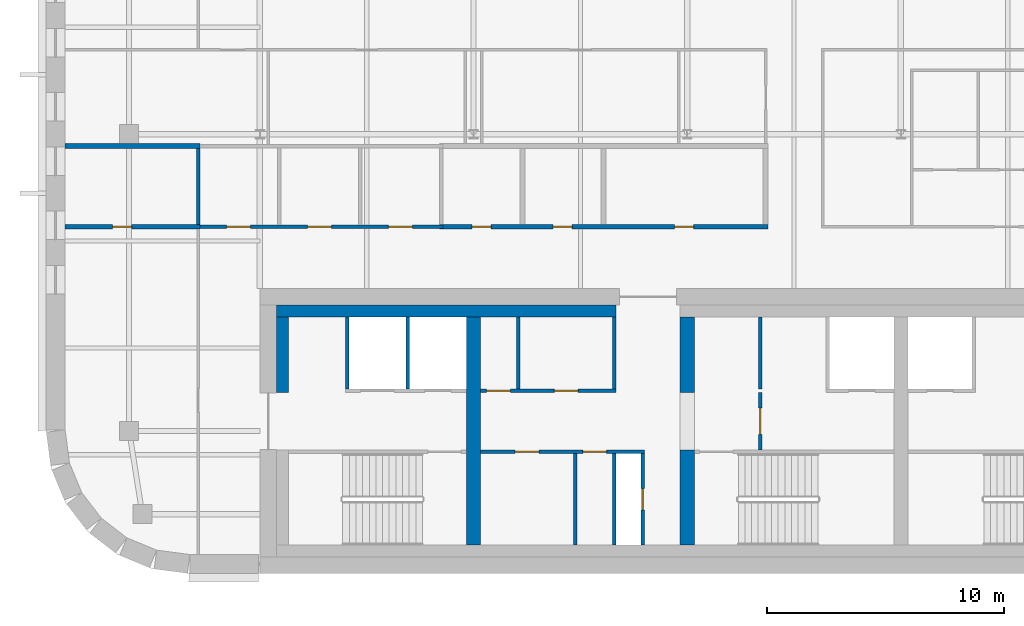
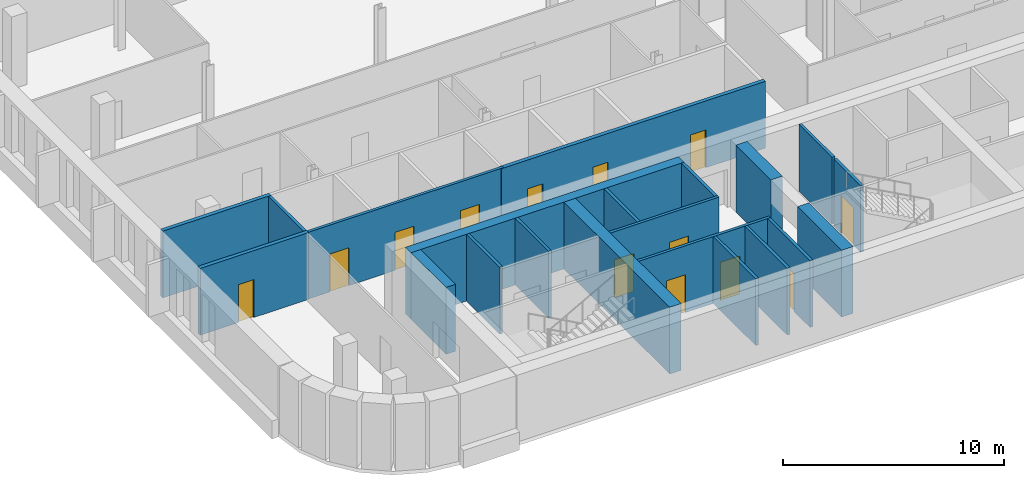
# One storey, part 6 of 15: 21 walls, 13 doors, 13 openings.
"""IFC4 building model written with IfcOpenShell, lengths in metres."""

import ifcopenshell
import ifcopenshell.guid

model = None  # the IFC model being written
_history = None  # IfcOwnerHistory: only IFC2X3 demands one
_inside = {}  # id of a spatial element -> (the spatial element, [elements in it])
_under = {}  # id of a project, library or spatial element -> (it, [spatial elements below it])
_declared = {}  # id of a project -> (the project, [libraries it declares])
_typed = {}  # id of a type object -> (the type object, [elements of that type])
_made_of = {}  # id of a material, layer set ... -> (it, [elements and type objects made of it])


def new_model(schema):
    """Start an empty IFC model of exactly this schema.

    Asked for "IFC4X3", IfcOpenShell would pick the latest addendum, in which some entities
    have other attributes; the version numbers below select the first issue.
    IFC2X3 requires an IfcOwnerHistory on every rooted entity: one is made here for all.
    """
    global model, _history
    if schema == "IFC4X3":
        model = ifcopenshell.file(schema_version=(4, 3, 0, 0))
    else:
        model = ifcopenshell.file(schema=schema)
    _inside.clear()
    _under.clear()
    _declared.clear()
    _typed.clear()
    _made_of.clear()
    _history = None
    if model.schema == "IFC2X3":
        org = make("IfcOrganization", Name="unknown")
        user = make(
            "IfcPersonAndOrganization",
            ThePerson=make("IfcPerson", FamilyName="unknown"),
            TheOrganization=org,
        )
        app = make(
            "IfcApplication",
            ApplicationDeveloper=org,
            Version="unknown",
            ApplicationFullName="unknown",
            ApplicationIdentifier="unknown",
        )
        _history = make(
            "IfcOwnerHistory",
            OwningUser=user,
            OwningApplication=app,
            ChangeAction="ADDED",
            CreationDate=0,
        )
    return model


def make(cls, **values):
    """One entity of the class cls with the attributes given. An attribute that is None is left unset."""
    return model.create_entity(
        cls, **{name: value for name, value in values.items() if value is not None}
    )


def rooted(cls, **values):
    """An entity with a GlobalId (a new one), such as an element, a storey or a relation."""
    return make(cls, GlobalId=ifcopenshell.guid.new(), OwnerHistory=_history, **values)


def si_unit(unit_type, name, prefix=None):
    """IfcSIUnit, for example si_unit("LENGTHUNIT", "METRE", prefix="MILLI")."""
    return make("IfcSIUnit", UnitType=unit_type, Prefix=prefix, Name=name)


def assignment(units):
    """IfcUnitAssignment: the units of a project."""
    return None if units is None else make("IfcUnitAssignment", Units=units)


def point(xyz):
    """IfcCartesianPoint."""
    return None if xyz is None else make("IfcCartesianPoint", Coordinates=xyz)


def direction(xyz):
    """IfcDirection."""
    return None if xyz is None else make("IfcDirection", DirectionRatios=xyz)


def frame(location, z_axis=None, x_axis=None):
    """IfcAxis2Placement3D, a coordinate frame: its origin and axes. An axis left out is left unset."""
    return make(
        "IfcAxis2Placement3D",
        Location=point(location),
        Axis=direction(z_axis),
        RefDirection=direction(x_axis),
    )


def frame_2d(location, x_axis=None):
    """IfcAxis2Placement2D, a coordinate frame in the plane: its origin and x axis."""
    return make(
        "IfcAxis2Placement2D", Location=point(location), RefDirection=direction(x_axis)
    )


def origin():
    """The frame at (0, 0, 0) with its axes left unset."""
    return frame((0.0, 0.0, 0.0))


def place(relative_to, where):
    """IfcLocalPlacement: puts the frame where relative to a parent placement (None: the world)."""
    return make(
        "IfcLocalPlacement", PlacementRelTo=relative_to, RelativePlacement=where
    )


def context(
    kind, dimensions, precision=None, world=None, true_north=None, identifier=None
):
    """IfcGeometricRepresentationContext, for example the 3D "Model" context."""
    return make(
        "IfcGeometricRepresentationContext",
        ContextIdentifier=identifier,
        ContextType=kind,
        CoordinateSpaceDimension=dimensions,
        Precision=precision,
        WorldCoordinateSystem=world,
        TrueNorth=true_north,
    )


def subcontext(parent, identifier, kind, view, scale=None):
    """IfcGeometricRepresentationSubContext, for example "Body" below "Model"."""
    return make(
        "IfcGeometricRepresentationSubContext",
        ContextIdentifier=identifier,
        ContextType=kind,
        ParentContext=parent,
        TargetScale=scale,
        TargetView=view,
    )


def project(units=None, contexts=None):
    """IfcProject with its units and contexts."""
    return rooted(
        "IfcProject",
        Name="project",
        RepresentationContexts=contexts,
        UnitsInContext=assignment(units),
    )


def spatial(cls, under=None, at=None, **own):
    """A site, building, storey or space (cls), placed at a placement, below another one or the project."""
    s = rooted(cls, ObjectPlacement=at, **own)
    if under is not None:
        _under.setdefault(under.id(), (under, []))[1].append(s)
    return s


def profile(cls, at=None, kind="AREA", **sizes):
    """A parametric profile (cls). Its sizes go by their IFC names, for example OverallWidth=200.0."""
    return make(cls, ProfileType=kind, Position=at, **sizes)


def rectangle(**sizes):
    """IfcRectangleProfileDef."""
    return profile("IfcRectangleProfileDef", **sizes)


def extrude(swept, where, along, depth):
    """IfcExtrudedAreaSolid: the profile swept, set in the frame where, extruded along a direction by depth."""
    return make(
        "IfcExtrudedAreaSolid",
        SweptArea=swept,
        Position=where,
        ExtrudedDirection=direction(along),
        Depth=depth,
    )


def shape(context_of_items, identifier, shape_type, items):
    """IfcShapeRepresentation: the items that make up one representation, for example the "Body"."""
    return make(
        "IfcShapeRepresentation",
        ContextOfItems=context_of_items,
        RepresentationIdentifier=identifier,
        RepresentationType=shape_type,
        Items=items,
    )


def material(Name=None, Category=None):
    """IfcMaterial."""
    return make("IfcMaterial", Name=Name, Category=Category)


def layer(
    of_material, thickness, ventilated=None, Name=None, Category=None, Priority=None
):
    """IfcMaterialLayer: one layer of a wall or slab, of a material (None: an air gap)."""
    return make(
        "IfcMaterialLayer",
        Material=of_material,
        LayerThickness=thickness,
        IsVentilated=ventilated,
        Name=Name,
        Category=Category,
        Priority=Priority,
    )


def layer_set(layers, Name=None):
    """IfcMaterialLayerSet."""
    return make("IfcMaterialLayerSet", MaterialLayers=layers, LayerSetName=Name)


def made_of(thing, what):
    """Note that an element or type object is made of a material, layer set ...; save() writes the relation."""
    if what is not None:
        _made_of.setdefault(what.id(), (what, []))[1].append(thing)
    return thing


def type_object(cls, material=None, **own):
    """A type object (cls), such as IfcWallType, which elements share."""
    return made_of(rooted(cls, **own), material)


def element(
    cls,
    number,
    at=None,
    inside=None,
    cuts=None,
    type_object=None,
    material=None,
    context=None,
    identifier="Body",
    shape_type=None,
    held_by="IfcProductDefinitionShape",
    body=None,
    shapes=None,
    **own,
):
    """One element of the class cls, such as IfcWall. Its Tag is "e" and its number.

    at: its placement. inside: the storey or other place that contains it. cuts: it is an
    opening in that element (IfcRelVoidsElement). A single representation is given by context,
    identifier, shape_type and body (its items); several are given by shapes. held_by: the class
    of the entity that holds the representations. save() writes the other relations.
    """
    e = rooted(cls, Tag="e%d" % number, ObjectPlacement=at, **own)
    if body is not None:
        shapes = [shape(context, identifier, shape_type, body)]
    if shapes is not None:
        e.Representation = make(held_by, Representations=shapes)
    if inside is not None:
        _inside.setdefault(inside.id(), (inside, []))[1].append(e)
    if cuts is not None:
        rooted(
            "IfcRelVoidsElement", RelatingBuildingElement=cuts, RelatedOpeningElement=e
        )
    if type_object is not None:
        _typed.setdefault(type_object.id(), (type_object, []))[1].append(e)
    return made_of(e, material)


def fill(opening, filler):
    """IfcRelFillsElement: the door or window that sits in an opening."""
    return rooted(
        "IfcRelFillsElement",
        RelatingOpeningElement=opening,
        RelatedBuildingElement=filler,
    )


def aggregate(whole, parts):
    """IfcRelAggregates: a whole, such as a stair, and the parts it consists of."""
    return rooted("IfcRelAggregates", RelatingObject=whole, RelatedObjects=parts)


def save(model, path):
    """Write the relations noted so far, then the file.

    IfcRelAggregates (storeys below a building ...), IfcRelContainedInSpatialStructure (elements
    in a storey), IfcRelDefinesByType, IfcRelAssociatesMaterial and IfcRelDeclares: one each for
    every whole, place, type object, material and project.
    """
    for whole, parts in _under.values():
        aggregate(whole, parts)
    for where, things in _inside.values():
        rooted(
            "IfcRelContainedInSpatialStructure",
            RelatedElements=things,
            RelatingStructure=where,
        )
    for kind, things in _typed.values():
        rooted("IfcRelDefinesByType", RelatedObjects=things, RelatingType=kind)
    for what, things in _made_of.values():
        rooted("IfcRelAssociatesMaterial", RelatedObjects=things, RelatingMaterial=what)
    for by, libraries in _declared.values():
        rooted("IfcRelDeclares", RelatingContext=by, RelatedDefinitions=libraries)
    model.write(path)


model = new_model("IFC4")

# Units and contexts
model_context = context("Model", 3, precision=1e-05, world=origin(), true_north=direction((0.0, 1.0)))
body_context = subcontext(model_context, "Body", "Model", "MODEL_VIEW")
ifc_project = project(units=[si_unit("LENGTHUNIT", "METRE"), si_unit("AREAUNIT", "SQUARE_METRE"), si_unit("VOLUMEUNIT", "CUBIC_METRE"), si_unit("PLANEANGLEUNIT", "RADIAN"), si_unit("MASSUNIT", "GRAM", prefix="KILO")], contexts=[model_context])

# Site, building, storey
site_placement = place(None, origin())
site = spatial("IfcSite", under=ifc_project, at=site_placement, CompositionType="ELEMENT")
building_placement = place(site_placement, origin())
building = spatial("IfcBuilding", under=site, at=building_placement, Name="Zellij Exchange Tower", CompositionType="ELEMENT")
storey_placement = place(building_placement, frame((0.0, 0.0, 260.5)))
storey = spatial("IfcBuildingStorey", under=building, at=storey_placement, Name="L61", CompositionType="ELEMENT", Elevation=260.5)

# Walls
ifc_material_1 = material(Name="Concrete C50/60", Category="concrete")
ifc_layer_1 = layer(ifc_material_1, 0.60009765625)
ifc_layer_set_1 = layer_set([ifc_layer_1], Name="Concrete C50/60")
wall_type_1 = type_object("IfcWallType", Name="CORE-CW 600 C50/60", PredefinedType="SHEAR", material=ifc_layer_set_1)
wall_1_placement = place(storey_placement, frame((-18.0, -12.800048828125, 0.0), z_axis=(0.0, 0.0, 1.0), x_axis=(0.0, 1.0, 0.0)))
element("IfcWall", 1, at=wall_1_placement, inside=storey, type_object=wall_type_1, Name="Core cross wall x -18 L61", PredefinedType="SHEAR", context=body_context, shape_type="SweptSolid", body=[
    extrude(rectangle(XDim=9.60009765625, YDim=0.60009765625, at=frame_2d((4.800048828125, 0.0))), origin(), (0.0, 0.0, 1.0), 3.699951171875),
])
wall_2_placement = place(storey_placement, frame((-9.0, -12.800048828125, 0.0), z_axis=(0.0, 0.0, 1.0), x_axis=(0.0, 1.0, 0.0)))
element("IfcWall", 2, at=wall_2_placement, inside=storey, type_object=wall_type_1, Name="Core cross wall pier x -9 a L61", PredefinedType="SHEAR", context=body_context, shape_type="SweptSolid", body=[
    extrude(rectangle(XDim=4.0, YDim=0.60009765625, at=frame_2d((2.0, 0.0))), origin(), (0.0, 0.0, 1.0), 3.699951171875),
])
wall_3_placement = place(storey_placement, frame((-9.0, -6.375, 0.0), z_axis=(0.0, 0.0, 1.0), x_axis=(0.0, 1.0, 0.0)))
element("IfcWall", 3, at=wall_3_placement, inside=storey, type_object=wall_type_1, Name="Core cross wall pier x -9 b L61", PredefinedType="SHEAR", context=body_context, shape_type="SweptSolid", body=[
    extrude(rectangle(XDim=3.175048828125, YDim=0.60009765625, at=frame_2d((1.58740234375, 0.0))), origin(), (0.0, 0.0, 1.0), 3.699951171875),
])
ifc_material_2 = material(Name="Concrete C30/37", Category="concrete")
ifc_layer_2 = layer(ifc_material_2, 0.5)
ifc_layer_set_2 = layer_set([ifc_layer_2], Name="Concrete C30/37")
wall_type_2 = type_object("IfcWallType", Name="CORE-LW 500 C30/37", PredefinedType="SHEAR", material=ifc_layer_set_2)
wall_4_placement = place(storey_placement, frame((-26.300048828125, -2.949951171875, 0.0), z_axis=(0.0, 0.0, 1.0), x_axis=(1.0, 0.0, 0.0)))
element("IfcWall", 4, at=wall_4_placement, inside=storey, type_object=wall_type_2, Name="Core wall lining front.0 L61", PredefinedType="SHEAR", context=body_context, shape_type="SweptSolid", body=[
    extrude(rectangle(XDim=14.300048828125, YDim=0.5, at=frame_2d((7.14990234375, 0.0))), origin(), (0.0, 0.0, 1.0), 3.699951171875),
])
wall_5_placement = place(storey_placement, frame((-26.050048828125, -6.375, 0.0), z_axis=(0.0, 0.0, 1.0), x_axis=(0.0, 1.0, 0.0)))
element("IfcWall", 5, at=wall_5_placement, inside=storey, type_object=wall_type_2, Name="Core wall lining end w.1 L61", PredefinedType="SHEAR", context=body_context, shape_type="SweptSolid", body=[
    extrude(rectangle(XDim=3.175048828125, YDim=0.5, at=frame_2d((1.58740234375, 0.0))), origin(), (0.0, 0.0, 1.0), 3.699951171875),
])

# Wall, opening, door
ifc_material_3 = material(Name="Gypsum shaft wall system")
ifc_layer_3 = layer(ifc_material_3, 0.14990234375)
ifc_layer_set_3 = layer_set([ifc_layer_3], Name="Gypsum shaft wall system")
wall_type_3 = type_object("IfcWallType", Name="CORE-PW 150 Firefighting lobby wall", PredefinedType="PARTITIONING", material=ifc_layer_set_3)
wall_6_placement = place(storey_placement, frame((-5.925048828125, -8.800048828125, 0.0), z_axis=(0.0, 0.0, 1.0), x_axis=(0.0, 1.0, 0.0)))
wall_6 = element("IfcWall", 6, at=wall_6_placement, inside=storey, type_object=wall_type_3, Name="Firefighting lobby wall L61", PredefinedType="PARTITIONING", context=body_context, shape_type="SweptSolid", body=[
    extrude(rectangle(XDim=2.425048828125, YDim=0.14990234375, at=frame_2d((1.21240234375, 0.0))), origin(), (0.0, 0.0, 1.0), 3.699951171875),
])
opening_1_placement = place(wall_6_placement, frame((0.662109375, 0.0, 0.0)))
opening_1 = element("IfcOpeningElement", 7, at=opening_1_placement, cuts=wall_6, Name="Opening CA-31.12", PredefinedType="OPENING", context=body_context, shape_type="SweptSolid", body=[
    extrude(rectangle(XDim=1.10009765625, YDim=2.10009765625, at=frame_2d((0.550048828125, 1.050048828125))), frame((0.0, 0.0869140625, 0.0), z_axis=(0.0, -1.0, 0.0), x_axis=(1.0, 0.0, 0.0)), (0.0, 0.0, 1.0), 0.173828125),
])
ifc_material_4 = material(Name="Hollow metal fire door")
door_type_1 = type_object("IfcDoorType", Name="CORE-D F Firefighting lobby door 1100x2100 1 HR", OperationType="NOTDEFINED", PredefinedType="DOOR", material=ifc_material_4)
door_1_placement = place(opening_1_placement, origin())
door_1 = element("IfcDoor", 8, at=door_1_placement, inside=storey, type_object=door_type_1, Name="Firefighting lobby door CA-31.12", OperationType="SINGLE_SWING_LEFT", OverallHeight=2.10009765625, OverallWidth=1.10009765625, PredefinedType="DOOR", context=body_context, shape_type="SweptSolid", body=[
    extrude(rectangle(XDim=1.10009765625, YDim=2.10009765625, at=frame_2d((0.550048828125, 1.050048828125))), frame((0.0, 0.02490234375, 0.0), z_axis=(0.0, -1.0, 0.0), x_axis=(1.0, 0.0, 0.0)), (0.0, 0.0, 1.0), 0.050048828125),
])
fill(opening_1, door_1)

# Walls
ifc_material_5 = material(Name="Gypsum board partition")
ifc_layer_4 = layer(ifc_material_5, 0.14990234375)
ifc_layer_set_4 = layer_set([ifc_layer_4], Name="Gypsum board partition")
wall_type_4 = type_object("IfcWallType", Name="CORE-PW 150 Lift lobby wall", PredefinedType="PARTITIONING", material=ifc_layer_set_4)
for number, where, z_axis, x_axis, name in (
    (9, (-12.074951171875, -6.22509765625, 0.0), (0.0, 0.0, 1.0), (0.0, 1.0, 0.0), "Lift lobby wall L61"),
    (10, (-16.125, -6.22509765625, 0.0), (0.0, 0.0, 1.0), (0.0, 1.0, 0.0), "Lift lobby wall L61"),
    (11, (-5.925048828125, -6.22509765625, 0.0), (0.0, 0.0, 1.0), (0.0, 1.0, 0.0), "Lift lobby wall L61"),
):
    element("IfcWall", number, at=place(storey_placement, frame(where, z_axis=z_axis, x_axis=x_axis)), inside=storey, type_object=wall_type_4, Name=name, PredefinedType="PARTITIONING", context=body_context, shape_type="SweptSolid", body=[
        extrude(rectangle(XDim=3.025146484375, YDim=0.14990234375, at=frame_2d((1.5126953125, 0.0))), origin(), (0.0, 0.0, 1.0), 3.699951171875),
    ])

# Wall, opening, door
wall_7_placement = place(storey_placement, frame((-10.875, -12.800048828125, 0.0), z_axis=(0.0, 0.0, 1.0), x_axis=(0.0, 1.0, 0.0)))
wall_7 = element("IfcWall", 12, at=wall_7_placement, inside=storey, type_object=wall_type_4, Name="Lift lobby wall L61", PredefinedType="PARTITIONING", context=body_context, shape_type="SweptSolid", body=[
    extrude(rectangle(XDim=3.85009765625, YDim=0.14990234375, at=frame_2d((1.925048828125, 0.0))), origin(), (0.0, 0.0, 1.0), 3.699951171875),
])
opening_2_placement = place(wall_7_placement, frame((1.47509765625, 0.0, 0.0)))
opening_2 = element("IfcOpeningElement", 13, at=opening_2_placement, cuts=wall_7, Name="Opening CA-31.09", PredefinedType="OPENING", context=body_context, shape_type="SweptSolid", body=[
    extrude(rectangle(XDim=0.89990234375, YDim=2.10009765625, at=frame_2d((0.449951171875, 1.050048828125))), frame((0.0, 0.0869140625, 0.0), z_axis=(0.0, -1.0, 0.0), x_axis=(1.0, 0.0, 0.0)), (0.0, 0.0, 1.0), 0.173828125),
])
door_type_2 = type_object("IfcDoorType", Name="CORE-D RD Riser door 900x2100 1.5 HR", OperationType="NOTDEFINED", PredefinedType="DOOR", material=ifc_material_4)
door_2_placement = place(opening_2_placement, origin())
door_2 = element("IfcDoor", 14, at=door_2_placement, inside=storey, type_object=door_type_2, Name="Riser door CA-31.09", OperationType="SINGLE_SWING_RIGHT", OverallHeight=2.10009765625, OverallWidth=0.89990234375, PredefinedType="DOOR", context=body_context, shape_type="SweptSolid", body=[
    extrude(rectangle(XDim=0.89990234375, YDim=2.10009765625, at=frame_2d((0.449951171875, 1.050048828125))), frame((0.0, 0.02490234375, 0.0), z_axis=(0.0, -1.0, 0.0), x_axis=(1.0, 0.0, 0.0)), (0.0, 0.0, 1.0), 0.050048828125),
])
fill(opening_2, door_2)

# Walls
for number, where, z_axis, x_axis, name in (
    (15, (-12.074951171875, -12.800048828125, 0.0), (0.0, 0.0, 1.0), (0.0, 1.0, 0.0), "Lift lobby wall L61"),
    (16, (-13.72509765625, -12.800048828125, 0.0), (0.0, 0.0, 1.0), (0.0, 1.0, 0.0), "Lift lobby wall L61"),
):
    element("IfcWall", number, at=place(storey_placement, frame(where, z_axis=z_axis, x_axis=x_axis)), inside=storey, type_object=wall_type_4, Name=name, PredefinedType="PARTITIONING", context=body_context, shape_type="SweptSolid", body=[
        extrude(rectangle(XDim=3.85009765625, YDim=0.14990234375, at=frame_2d((1.925048828125, 0.0))), origin(), (0.0, 0.0, 1.0), 3.699951171875),
    ])

# Wall, openings, doors
wall_8_placement = place(storey_placement, frame((-17.699951171875, -6.300048828125, 0.0), z_axis=(0.0, 0.0, 1.0), x_axis=(1.0, 0.0, 0.0)))
wall_8 = element("IfcWall", 17, at=wall_8_placement, inside=storey, type_object=wall_type_4, Name="Lift lobby wall L61", PredefinedType="PARTITIONING", context=body_context, shape_type="SweptSolid", body=[
    extrude(rectangle(XDim=5.699951171875, YDim=0.14990234375, at=frame_2d((2.85009765625, 0.0))), origin(), (0.0, 0.0, 1.0), 3.699951171875),
])
opening_3_placement = place(wall_8_placement, frame((0.25, 0.0, 0.0)))
opening_3 = element("IfcOpeningElement", 18, at=opening_3_placement, cuts=wall_8, Name="Opening CA-31.05", PredefinedType="OPENING", context=body_context, shape_type="SweptSolid", body=[
    extrude(rectangle(XDim=1.0, YDim=2.10009765625, at=frame_2d((0.5, 1.050048828125))), frame((0.0, 0.0869140625, 0.0), z_axis=(0.0, -1.0, 0.0), x_axis=(1.0, 0.0, 0.0)), (0.0, 0.0, 1.0), 0.173828125),
])
opening_4_placement = place(wall_8_placement, frame((3.10009765625, 0.0, 0.0)))
opening_4 = element("IfcOpeningElement", 19, at=opening_4_placement, cuts=wall_8, Name="Opening CA-31.07", PredefinedType="OPENING", context=body_context, shape_type="SweptSolid", body=[
    extrude(rectangle(XDim=1.0, YDim=2.10009765625, at=frame_2d((0.5, 1.050048828125))), frame((0.0, 0.0869140625, 0.0), z_axis=(0.0, -1.0, 0.0), x_axis=(1.0, 0.0, 0.0)), (0.0, 0.0, 1.0), 0.173828125),
])
door_type_3 = type_object("IfcDoorType", Name="CORE-D CD Core room door 1000x2100 1 HR", OperationType="NOTDEFINED", PredefinedType="DOOR", material=ifc_material_4)
door_3_placement = place(opening_3_placement, origin())
door_3 = element("IfcDoor", 20, at=door_3_placement, inside=storey, type_object=door_type_3, Name="Core room door CA-31.05", OperationType="SINGLE_SWING_LEFT", OverallHeight=2.10009765625, OverallWidth=1.0, PredefinedType="DOOR", context=body_context, shape_type="SweptSolid", body=[
    extrude(rectangle(XDim=1.0, YDim=2.10009765625, at=frame_2d((0.5, 1.050048828125))), frame((0.0, 0.02490234375, 0.0), z_axis=(0.0, -1.0, 0.0), x_axis=(1.0, 0.0, 0.0)), (0.0, 0.0, 1.0), 0.050048828125),
])
fill(opening_3, door_3)
door_4_placement = place(opening_4_placement, origin())
door_4 = element("IfcDoor", 21, at=door_4_placement, inside=storey, type_object=door_type_3, Name="Core room door CA-31.07", OperationType="SINGLE_SWING_RIGHT", OverallHeight=2.10009765625, OverallWidth=1.0, PredefinedType="DOOR", context=body_context, shape_type="SweptSolid", body=[
    extrude(rectangle(XDim=1.0, YDim=2.10009765625, at=frame_2d((0.5, 1.050048828125))), frame((0.0, 0.02490234375, 0.0), z_axis=(0.0, -1.0, 0.0), x_axis=(1.0, 0.0, 0.0)), (0.0, 0.0, 1.0), 0.050048828125),
])
fill(opening_4, door_4)

wall_9_placement = place(storey_placement, frame((-17.699951171875, -8.875, 0.0), z_axis=(0.0, 0.0, 1.0), x_axis=(1.0, 0.0, 0.0)))
wall_9 = element("IfcWall", 22, at=wall_9_placement, inside=storey, type_object=wall_type_4, Name="Lift lobby wall L61", PredefinedType="PARTITIONING", context=body_context, shape_type="SweptSolid", body=[
    extrude(rectangle(XDim=6.89990234375, YDim=0.14990234375, at=frame_2d((3.449951171875, 0.0))), origin(), (0.0, 0.0, 1.0), 3.699951171875),
])
opening_5_placement = place(wall_9_placement, frame((1.449951171875, 0.0, 0.0)))
opening_5 = element("IfcOpeningElement", 23, at=opening_5_placement, cuts=wall_9, Name="Opening CA-31.06", PredefinedType="OPENING", context=body_context, shape_type="SweptSolid", body=[
    extrude(rectangle(XDim=1.0, YDim=2.10009765625, at=frame_2d((0.5, 1.050048828125))), frame((0.0, 0.0869140625, 0.0), z_axis=(0.0, -1.0, 0.0), x_axis=(1.0, 0.0, 0.0)), (0.0, 0.0, 1.0), 0.173828125),
])
opening_6_placement = place(wall_9_placement, frame((4.300048828125, 0.0, 0.0)))
opening_6 = element("IfcOpeningElement", 24, at=opening_6_placement, cuts=wall_9, Name="Opening CA-31.08", PredefinedType="OPENING", context=body_context, shape_type="SweptSolid", body=[
    extrude(rectangle(XDim=1.0, YDim=2.10009765625, at=frame_2d((0.5, 1.050048828125))), frame((0.0, 0.0869140625, 0.0), z_axis=(0.0, -1.0, 0.0), x_axis=(1.0, 0.0, 0.0)), (0.0, 0.0, 1.0), 0.173828125),
])
door_5_placement = place(opening_5_placement, origin())
door_5 = element("IfcDoor", 25, at=door_5_placement, inside=storey, type_object=door_type_3, Name="Core room door CA-31.06", OperationType="SINGLE_SWING_RIGHT", OverallHeight=2.10009765625, OverallWidth=1.0, PredefinedType="DOOR", context=body_context, shape_type="SweptSolid", body=[
    extrude(rectangle(XDim=1.0, YDim=2.10009765625, at=frame_2d((0.5, 1.050048828125))), frame((0.0, 0.02490234375, 0.0), z_axis=(0.0, -1.0, 0.0), x_axis=(1.0, 0.0, 0.0)), (0.0, 0.0, 1.0), 0.050048828125),
])
fill(opening_5, door_5)
door_6_placement = place(opening_6_placement, origin())
door_6 = element("IfcDoor", 26, at=door_6_placement, inside=storey, type_object=door_type_3, Name="Core room door CA-31.08", OperationType="SINGLE_SWING_LEFT", OverallHeight=2.10009765625, OverallWidth=1.0, PredefinedType="DOOR", context=body_context, shape_type="SweptSolid", body=[
    extrude(rectangle(XDim=1.0, YDim=2.10009765625, at=frame_2d((0.5, 1.050048828125))), frame((0.0, 0.02490234375, 0.0), z_axis=(0.0, -1.0, 0.0), x_axis=(1.0, 0.0, 0.0)), (0.0, 0.0, 1.0), 0.050048828125),
])
fill(opening_6, door_6)

# Walls
ifc_layer_5 = layer(ifc_material_3, 0.14990234375)
ifc_layer_set_5 = layer_set([ifc_layer_5], Name="Gypsum shaft wall system")
wall_type_5 = type_object("IfcWallType", Name="CORE-PW 150 Lift shaft wall", PredefinedType="PARTITIONING", material=ifc_layer_set_5)
for number, where, z_axis, x_axis, name in (
    (27, (-20.77490234375, -6.22509765625, 0.0), (0.0, 0.0, 1.0), (0.0, 1.0, 0.0), "Lift shaft wall L61"),
    (28, (-23.324951171875, -6.22509765625, 0.0), (0.0, 0.0, 1.0), (0.0, 1.0, 0.0), "Lift shaft wall L61"),
):
    element("IfcWall", number, at=place(storey_placement, frame(where, z_axis=z_axis, x_axis=x_axis)), inside=storey, type_object=wall_type_5, Name=name, PredefinedType="PARTITIONING", context=body_context, shape_type="SweptSolid", body=[
        extrude(rectangle(XDim=3.025146484375, YDim=0.14990234375, at=frame_2d((1.5126953125, 0.0))), origin(), (0.0, 0.0, 1.0), 3.699951171875),
    ])

# Wall, opening, door
ifc_material_6 = material(Name="Blockwork partition", Category="masonry")
ifc_layer_6 = layer(ifc_material_6, 0.199951171875)
ifc_layer_set_6 = layer_set([ifc_layer_6], Name="Blockwork partition")
wall_type_6 = type_object("IfcWallType", Name="FIT-BLOCKWORK-200", PredefinedType="PARTITIONING", material=ifc_layer_set_6)
wall_10_placement = place(storey_placement, frame((-35.199951171875, 0.60009765625, 0.0), z_axis=(0.0, 0.0, 1.0), x_axis=(1.0, 0.0, 0.0)))
wall_10 = element("IfcWall", 29, at=wall_10_placement, inside=storey, type_object=wall_type_6, Name="FIT-BLOCKWORK-200 004", PredefinedType="PARTITIONING", context=body_context, shape_type="SweptSolid", body=[
    extrude(rectangle(XDim=5.675048828125, YDim=0.199951171875, at=frame_2d((2.83740234375, 0.0))), origin(), (0.0, 0.0, 1.0), 3.699951171875),
])
opening_7_placement = place(wall_10_placement, frame((2.0, 0.0, 0.0)))
opening_7 = element("IfcOpeningElement", 30, at=opening_7_placement, cuts=wall_10, Name="Opening O4F.03", PredefinedType="OPENING", context=body_context, shape_type="SweptSolid", body=[
    extrude(rectangle(XDim=0.800048828125, YDim=2.10009765625, at=frame_2d((0.39990234375, 1.050048828125))), frame((0.0, 0.11181640625, 0.0), z_axis=(0.0, -1.0, 0.0), x_axis=(1.0, 0.0, 0.0)), (0.0, 0.0, 1.0), 0.223876953125),
])
ifc_material_7 = material(Name="Timber door set", Category="wood")
door_type_4 = type_object("IfcDoorType", Name="FIT-D6-SERVICE-800X2100", OperationType="SINGLE_SWING_LEFT", PredefinedType="DOOR", material=ifc_material_7)
door_7_placement = place(opening_7_placement, origin())
door_7 = element("IfcDoor", 31, at=door_7_placement, inside=storey, type_object=door_type_4, Name="Door O4F.03", OperationType="SINGLE_SWING_RIGHT", OverallHeight=2.10009765625, OverallWidth=0.800048828125, PredefinedType="DOOR", context=body_context, shape_type="SweptSolid", body=[
    extrude(rectangle(XDim=0.800048828125, YDim=2.10009765625, at=frame_2d((0.39990234375, 1.050048828125))), frame((0.0, 0.02490234375, 0.0), z_axis=(0.0, -1.0, 0.0), x_axis=(1.0, 0.0, 0.0)), (0.0, 0.0, 1.0), 0.050048828125),
])
fill(opening_7, door_7)

# Wall, openings, doors
wall_11_placement = place(storey_placement, frame((-19.43505859375, 0.60009765625, 0.0), z_axis=(0.0, 0.0, 1.0), x_axis=(1.0, 0.0, 0.0)))
wall_11 = element("IfcWall", 32, at=wall_11_placement, inside=storey, type_object=wall_type_6, Name="FIT-BLOCKWORK-200 009", PredefinedType="PARTITIONING", context=body_context, shape_type="SweptSolid", body=[
    extrude(rectangle(XDim=13.8349609375, YDim=0.199951171875, at=frame_2d((6.91748046875, 0.0))), origin(), (0.0, 0.0, 1.0), 3.699951171875),
])
opening_8_placement = place(wall_11_placement, frame((1.3779296875, 0.0, 0.0)))
opening_8 = element("IfcOpeningElement", 33, at=opening_8_placement, cuts=wall_11, Name="Opening O4F.07", PredefinedType="OPENING", context=body_context, shape_type="SweptSolid", body=[
    extrude(rectangle(XDim=0.800048828125, YDim=2.10009765625, at=frame_2d((0.39990234375, 1.050048828125))), frame((0.0, 0.11181640625, 0.0), z_axis=(0.0, -1.0, 0.0), x_axis=(1.0, 0.0, 0.0)), (0.0, 0.0, 1.0), 0.223876953125),
])
opening_9_placement = place(wall_11_placement, frame((4.7919921875, 0.0, 0.0)))
opening_9 = element("IfcOpeningElement", 34, at=opening_9_placement, cuts=wall_11, Name="Opening O4F.08", PredefinedType="OPENING", context=body_context, shape_type="SweptSolid", body=[
    extrude(rectangle(XDim=0.800048828125, YDim=2.10009765625, at=frame_2d((0.39990234375, 1.050048828125))), frame((0.0, 0.11181640625, 0.0), z_axis=(0.0, -1.0, 0.0), x_axis=(1.0, 0.0, 0.0)), (0.0, 0.0, 1.0), 0.223876953125),
])
opening_10_placement = place(wall_11_placement, frame((9.906005859375, 0.0, 0.0)))
opening_10 = element("IfcOpeningElement", 35, at=opening_10_placement, cuts=wall_11, Name="Opening O4F.09", PredefinedType="OPENING", context=body_context, shape_type="SweptSolid", body=[
    extrude(rectangle(XDim=0.800048828125, YDim=2.10009765625, at=frame_2d((0.39990234375, 1.050048828125))), frame((0.0, 0.11181640625, 0.0), z_axis=(0.0, -1.0, 0.0), x_axis=(1.0, 0.0, 0.0)), (0.0, 0.0, 1.0), 0.223876953125),
])
door_8_placement = place(opening_8_placement, origin())
door_8 = element("IfcDoor", 36, at=door_8_placement, inside=storey, type_object=door_type_4, Name="Door O4F.07", OperationType="SINGLE_SWING_RIGHT", OverallHeight=2.10009765625, OverallWidth=0.800048828125, PredefinedType="DOOR", context=body_context, shape_type="SweptSolid", body=[
    extrude(rectangle(XDim=0.800048828125, YDim=2.10009765625, at=frame_2d((0.39990234375, 1.050048828125))), frame((0.0, 0.02490234375, 0.0), z_axis=(0.0, -1.0, 0.0), x_axis=(1.0, 0.0, 0.0)), (0.0, 0.0, 1.0), 0.050048828125),
])
fill(opening_8, door_8)
door_9_placement = place(opening_9_placement, origin())
door_9 = element("IfcDoor", 37, at=door_9_placement, inside=storey, type_object=door_type_4, Name="Door O4F.08", OperationType="SINGLE_SWING_RIGHT", OverallHeight=2.10009765625, OverallWidth=0.800048828125, PredefinedType="DOOR", context=body_context, shape_type="SweptSolid", body=[
    extrude(rectangle(XDim=0.800048828125, YDim=2.10009765625, at=frame_2d((0.39990234375, 1.050048828125))), frame((0.0, 0.02490234375, 0.0), z_axis=(0.0, -1.0, 0.0), x_axis=(1.0, 0.0, 0.0)), (0.0, 0.0, 1.0), 0.050048828125),
])
fill(opening_9, door_9)
door_10_placement = place(opening_10_placement, origin())
door_10 = element("IfcDoor", 38, at=door_10_placement, inside=storey, type_object=door_type_4, Name="Door O4F.09", OperationType="SINGLE_SWING_RIGHT", OverallHeight=2.10009765625, OverallWidth=0.800048828125, PredefinedType="DOOR", context=body_context, shape_type="SweptSolid", body=[
    extrude(rectangle(XDim=0.800048828125, YDim=2.10009765625, at=frame_2d((0.39990234375, 1.050048828125))), frame((0.0, 0.02490234375, 0.0), z_axis=(0.0, -1.0, 0.0), x_axis=(1.0, 0.0, 0.0)), (0.0, 0.0, 1.0), 0.050048828125),
])
fill(opening_10, door_10)

# Wall
wall_12_placement = place(storey_placement, frame((-35.199951171875, 4.0, 0.0), z_axis=(0.0, 0.0, 1.0), x_axis=(1.0, 0.0, 0.0)))
element("IfcWall", 39, at=wall_12_placement, inside=storey, type_object=wall_type_6, Name="FIT-BLOCKWORK-200 025", PredefinedType="PARTITIONING", context=body_context, shape_type="SweptSolid", body=[
    extrude(rectangle(XDim=5.675048828125, YDim=0.199951171875, at=frame_2d((2.83740234375, 0.0))), origin(), (0.0, 0.0, 1.0), 3.699951171875),
])

# Wall, openings, doors
ifc_material_8 = material(Name="Gypsum board shaft-wall partition", Category="gypsum")
ifc_layer_7 = layer(ifc_material_8, 0.14990234375)
ifc_layer_set_7 = layer_set([ifc_layer_7], Name="Gypsum board shaft-wall partition")
wall_type_7 = type_object("IfcWallType", Name="FIT-PARTITION-150-EI60", PredefinedType="PARTITIONING", material=ifc_layer_set_7)
wall_13_placement = place(storey_placement, frame((-29.675048828125, 0.60009765625, 0.0), z_axis=(0.0, 0.0, 1.0), x_axis=(1.0, 0.0, 0.0)))
wall_13 = element("IfcWall", 40, at=wall_13_placement, inside=storey, type_object=wall_type_7, Name="FIT-PARTITION-150-EI60 005", PredefinedType="PARTITIONING", context=body_context, shape_type="SweptSolid", body=[
    extrude(rectangle(XDim=10.39013671875, YDim=0.14990234375, at=frame_2d((5.195068359375, 0.0))), origin(), (0.0, 0.0, 1.0), 3.699951171875),
])
opening_11_placement = place(wall_13_placement, frame((1.27490234375, 0.0, 0.0)))
opening_11 = element("IfcOpeningElement", 41, at=opening_11_placement, cuts=wall_13, Name="Opening O4F.04", PredefinedType="OPENING", context=body_context, shape_type="SweptSolid", body=[
    extrude(rectangle(XDim=1.0, YDim=2.10009765625, at=frame_2d((0.5, 1.050048828125))), frame((0.0, 0.0869140625, 0.0), z_axis=(0.0, -1.0, 0.0), x_axis=(1.0, 0.0, 0.0)), (0.0, 0.0, 1.0), 0.173828125),
])
opening_12_placement = place(wall_13_placement, frame((4.68896484375, 0.0, 0.0)))
opening_12 = element("IfcOpeningElement", 42, at=opening_12_placement, cuts=wall_13, Name="Opening O4F.05", PredefinedType="OPENING", context=body_context, shape_type="SweptSolid", body=[
    extrude(rectangle(XDim=1.0, YDim=2.10009765625, at=frame_2d((0.5, 1.050048828125))), frame((0.0, 0.0869140625, 0.0), z_axis=(0.0, -1.0, 0.0), x_axis=(1.0, 0.0, 0.0)), (0.0, 0.0, 1.0), 0.173828125),
])
opening_13_placement = place(wall_13_placement, frame((8.10400390625, 0.0, 0.0)))
opening_13 = element("IfcOpeningElement", 43, at=opening_13_placement, cuts=wall_13, Name="Opening O4F.06", PredefinedType="OPENING", context=body_context, shape_type="SweptSolid", body=[
    extrude(rectangle(XDim=1.0, YDim=2.10009765625, at=frame_2d((0.5, 1.050048828125))), frame((0.0, 0.0869140625, 0.0), z_axis=(0.0, -1.0, 0.0), x_axis=(1.0, 0.0, 0.0)), (0.0, 0.0, 1.0), 0.173828125),
])
ifc_material_9 = material(Name="Steel fire door set", Category="steel")
door_type_5 = type_object("IfcDoorType", Name="FIT-D4-FIRE-1000X2100", OperationType="SINGLE_SWING_LEFT", PredefinedType="DOOR", material=ifc_material_9)
door_11_placement = place(opening_11_placement, origin())
door_11 = element("IfcDoor", 44, at=door_11_placement, inside=storey, type_object=door_type_5, Name="Door O4F.04", OperationType="SINGLE_SWING_LEFT", OverallHeight=2.10009765625, OverallWidth=1.0, PredefinedType="DOOR", context=body_context, shape_type="SweptSolid", body=[
    extrude(rectangle(XDim=1.0, YDim=2.10009765625, at=frame_2d((0.5, 1.050048828125))), frame((0.0, 0.02490234375, 0.0), z_axis=(0.0, -1.0, 0.0), x_axis=(1.0, 0.0, 0.0)), (0.0, 0.0, 1.0), 0.050048828125),
])
fill(opening_11, door_11)
door_12_placement = place(opening_12_placement, origin())
door_12 = element("IfcDoor", 45, at=door_12_placement, inside=storey, type_object=door_type_5, Name="Door O4F.05", OperationType="SINGLE_SWING_LEFT", OverallHeight=2.10009765625, OverallWidth=1.0, PredefinedType="DOOR", context=body_context, shape_type="SweptSolid", body=[
    extrude(rectangle(XDim=1.0, YDim=2.10009765625, at=frame_2d((0.5, 1.050048828125))), frame((0.0, 0.02490234375, 0.0), z_axis=(0.0, -1.0, 0.0), x_axis=(1.0, 0.0, 0.0)), (0.0, 0.0, 1.0), 0.050048828125),
])
fill(opening_12, door_12)
door_13_placement = place(opening_13_placement, origin())
door_13 = element("IfcDoor", 46, at=door_13_placement, inside=storey, type_object=door_type_5, Name="Door O4F.06", OperationType="SINGLE_SWING_LEFT", OverallHeight=2.10009765625, OverallWidth=1.0, PredefinedType="DOOR", context=body_context, shape_type="SweptSolid", body=[
    extrude(rectangle(XDim=1.0, YDim=2.10009765625, at=frame_2d((0.5, 1.050048828125))), frame((0.0, 0.02490234375, 0.0), z_axis=(0.0, -1.0, 0.0), x_axis=(1.0, 0.0, 0.0)), (0.0, 0.0, 1.0), 0.050048828125),
])
fill(opening_13, door_13)

# Wall
wall_14_placement = place(storey_placement, frame((-29.60009765625, 0.699951171875, 0.0), z_axis=(0.0, 0.0, 1.0), x_axis=(0.0, 1.0, 0.0)))
element("IfcWall", 47, at=wall_14_placement, inside=storey, type_object=wall_type_7, Name="FIT-PARTITION-150-EI60 006", PredefinedType="PARTITIONING", context=body_context, shape_type="SweptSolid", body=[
    extrude(rectangle(XDim=3.199951171875, YDim=0.14990234375, at=frame_2d((1.60009765625, 0.0))), origin(), (0.0, 0.0, 1.0), 3.699951171875),
])

save(model, "model.ifc")
